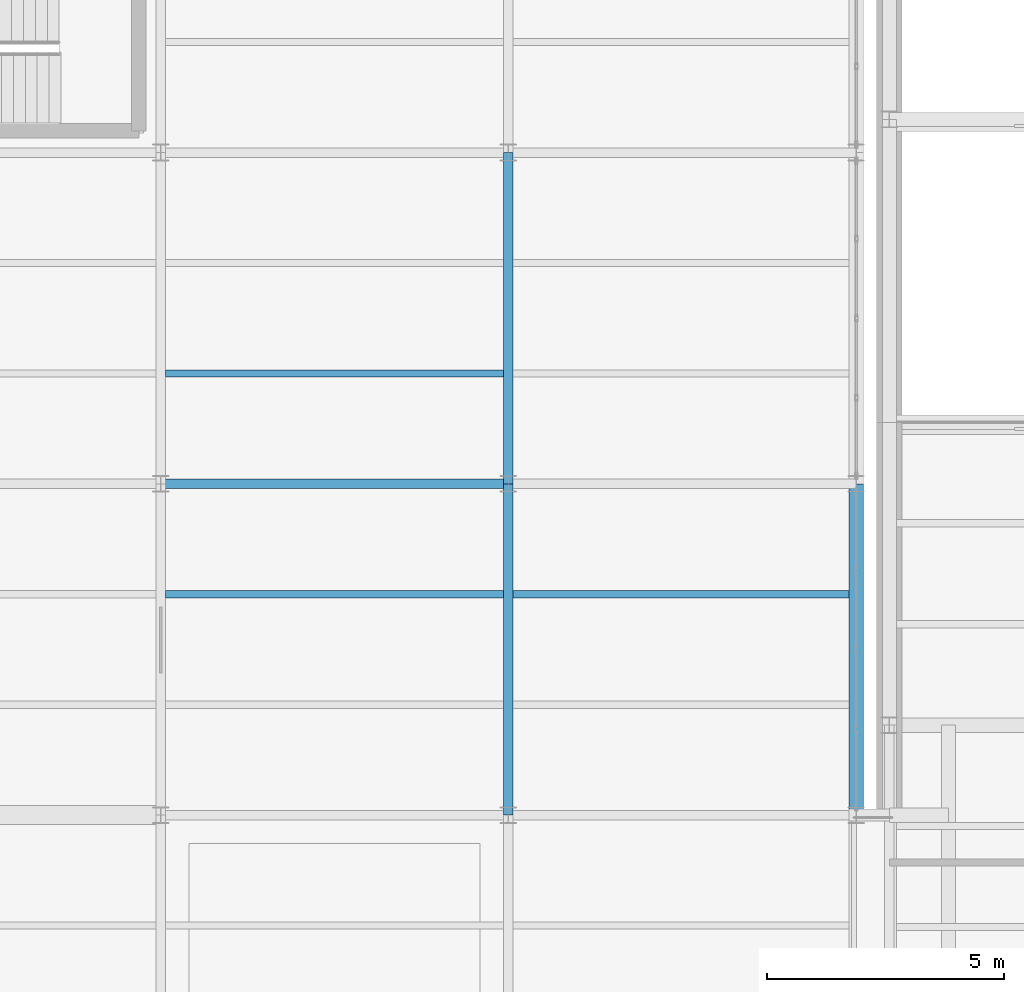
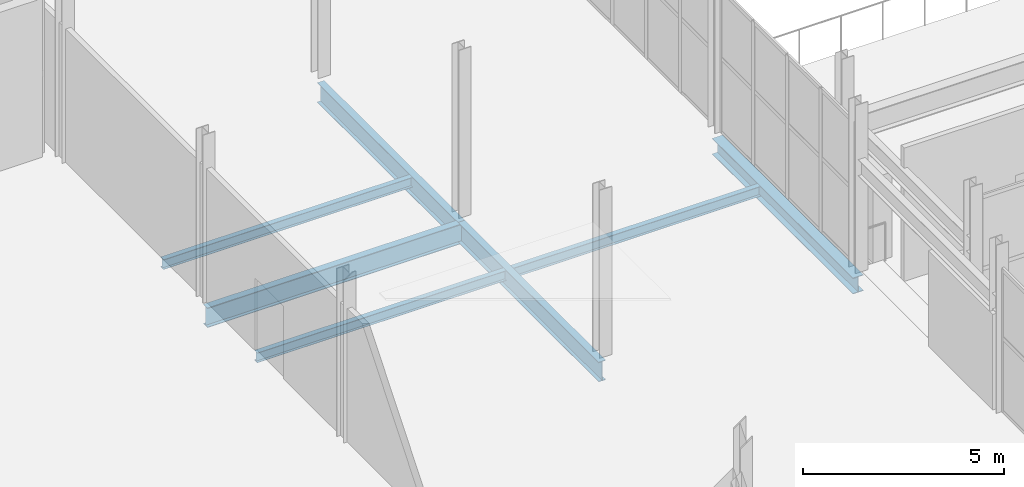
# One storey, part 46 of 218: 7 beams.
"""IFC4 building model written with IfcOpenShell, lengths in metres."""

from ifc_helpers import new_model, si_unit, direction, frame, origin, origin_2d, place, context, subcontext, project, spatial, i_section, extrude, material, material_profile, profile_set, type_object, element, save


model = new_model("IFC4")

# Units and contexts
model_context = context("Model", 3, precision=1e-05, world=origin(), true_north=direction((0.0, 1.0)))
body_context = subcontext(model_context, "Body", "Model", "MODEL_VIEW")
ifc_project = project(units=[si_unit("LENGTHUNIT", "METRE"), si_unit("AREAUNIT", "SQUARE_METRE"), si_unit("VOLUMEUNIT", "CUBIC_METRE"), si_unit("PLANEANGLEUNIT", "RADIAN"), si_unit("MASSUNIT", "GRAM", prefix="KILO")], contexts=[model_context])

# Site, building, storey
site_placement = place(None, origin())
site = spatial("IfcSite", under=ifc_project, at=site_placement, CompositionType="ELEMENT")
building_placement = place(site_placement, origin())
building = spatial("IfcBuilding", under=site, at=building_placement, Name="Kazenagashi Tramway Depot", CompositionType="ELEMENT")
storey_placement = place(building_placement, frame((0.0, 0.0, 6.0)))
storey = spatial("IfcBuildingStorey", under=building, at=storey_placement, Name="L02", CompositionType="ELEMENT", Elevation=6.0)

# Beams
ifc_material_1 = material(Name="Steel SN490B", Category="steel")
ifc_material_profile_1 = material_profile(ifc_material_1, i_section(OverallWidth=0.2, OverallDepth=0.6, WebThickness=0.011, FlangeThickness=0.017, at=origin_2d()), Name="H-600x200x11x17")
ifc_profile_set_1 = profile_set([ifc_material_profile_1], Name="Steel SN490B")
beam_type_1 = type_object("IfcBeamType", Name="G-03", PredefinedType="BEAM", material=ifc_profile_set_1)
beam_1_placement = place(storey_placement, frame((29.4, 28.0, -0.55), z_axis=(1.0, 0.0, 0.0), x_axis=(0.0, 1.0, 0.0)))
element("IfcBeam", 1, at=beam_1_placement, inside=storey, type_object=beam_type_1, Name="Beam G-03 BM-0023", PredefinedType="BEAM", context=body_context, shape_type="SweptSolid", body=[
    extrude(i_section(OverallWidth=0.2, OverallDepth=0.6, WebThickness=0.011, FlangeThickness=0.017, at=origin_2d()), origin(), (0.0, 0.0, 1.0), 7.35),
])
for number, where, z_axis, x_axis, name in (
    (2, (36.75, 21.0, -0.55), (0.0, 1.0, 0.0), (-1.0, 0.0, 0.0), "Beam G-03 BM-0191"),
    (3, (36.75, 28.0, -0.55), (0.0, 1.0, 0.0), (-1.0, 0.0, 0.0), "Beam G-03 BM-0194"),
):
    element("IfcBeam", number, at=place(storey_placement, frame(where, z_axis=z_axis, x_axis=x_axis)), inside=storey, type_object=beam_type_1, Name=name, PredefinedType="BEAM", context=body_context, shape_type="SweptSolid", body=[
        extrude(i_section(OverallWidth=0.2, OverallDepth=0.6, WebThickness=0.011, FlangeThickness=0.017, at=origin_2d()), origin(), (0.0, 0.0, 1.0), 7.0),
    ])
ifc_material_2 = material(Name="Steel SN400B", Category="steel")
ifc_material_profile_2 = material_profile(ifc_material_2, i_section(OverallWidth=0.15, OverallDepth=0.3, WebThickness=0.0065, FlangeThickness=0.009, at=origin_2d()), Name="H-300x150x6.5x9")
ifc_profile_set_2 = profile_set([ifc_material_profile_2], Name="Steel SN400B")
beam_type_2 = type_object("IfcBeamType", Name="J-02", PredefinedType="JOIST", material=ifc_profile_set_2)
for number, where, z_axis, x_axis, name in (
    (4, (29.5, 25.667, -0.4), (1.0, 0.0, 0.0), (0.0, 1.0, 0.0), "Beam J-02 BM-0166"),
    (5, (29.5, 30.333, -0.4), (1.0, 0.0, 0.0), (0.0, 1.0, 0.0), "Beam J-02 BM-0168"),
):
    element("IfcBeam", number, at=place(storey_placement, frame(where, z_axis=z_axis, x_axis=x_axis)), inside=storey, type_object=beam_type_2, Name=name, PredefinedType="JOIST", context=body_context, shape_type="SweptSolid", body=[
        extrude(i_section(OverallWidth=0.15, OverallDepth=0.3, WebThickness=0.0065, FlangeThickness=0.009, at=origin_2d()), origin(), (0.0, 0.0, 1.0), 7.15),
    ])
beam_2_placement = place(storey_placement, frame((36.85, 25.667, -0.4), z_axis=(1.0, 0.0, 0.0), x_axis=(0.0, 1.0, 0.0)))
element("IfcBeam", 6, at=beam_2_placement, inside=storey, type_object=beam_type_2, Name="Beam J-02 BM-0193", PredefinedType="JOIST", context=body_context, shape_type="SweptSolid", body=[
    extrude(i_section(OverallWidth=0.15, OverallDepth=0.3, WebThickness=0.0065, FlangeThickness=0.009, at=origin_2d()), origin(), (0.0, 0.0, 1.0), 7.1),
])
ifc_material_profile_3 = material_profile(ifc_material_1, i_section(OverallWidth=0.3, OverallDepth=0.488, WebThickness=0.011, FlangeThickness=0.018, at=origin_2d()), Name="H-488x300x11x18")
ifc_profile_set_3 = profile_set([ifc_material_profile_3], Name="Steel SN490B")
beam_type_3 = type_object("IfcBeamType", Name="SP-02", PredefinedType="SPANDREL", material=ifc_profile_set_3)
beam_3_placement = place(storey_placement, frame((44.1, 21.0, -0.494), z_axis=(0.0, 1.0, 0.0), x_axis=(-1.0, 0.0, 0.0)))
element("IfcBeam", 7, at=beam_3_placement, inside=storey, type_object=beam_type_3, Name="Beam SP-02 BM-0212", PredefinedType="SPANDREL", context=body_context, shape_type="SweptSolid", body=[
    extrude(i_section(OverallWidth=0.3, OverallDepth=0.488, WebThickness=0.011, FlangeThickness=0.018, at=origin_2d()), origin(), (0.0, 0.0, 1.0), 7.0),
])

save(model, "model.ifc")
